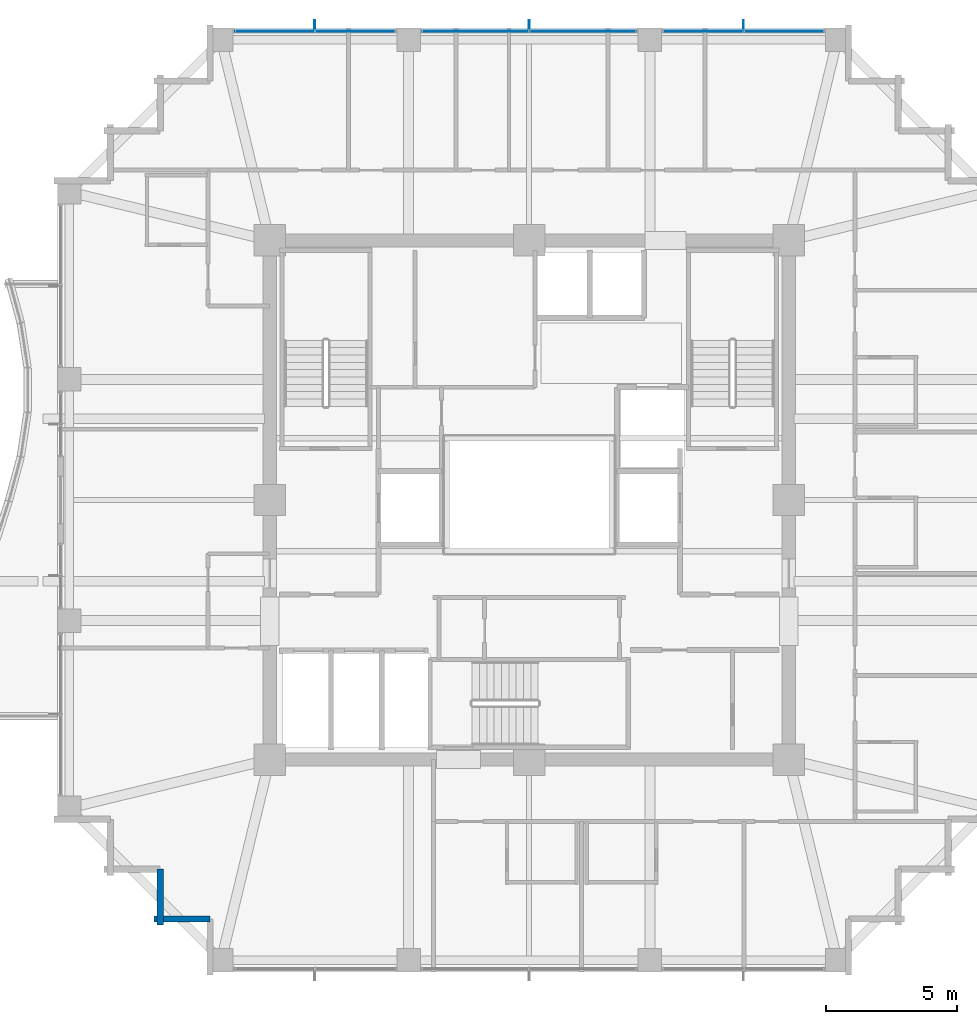
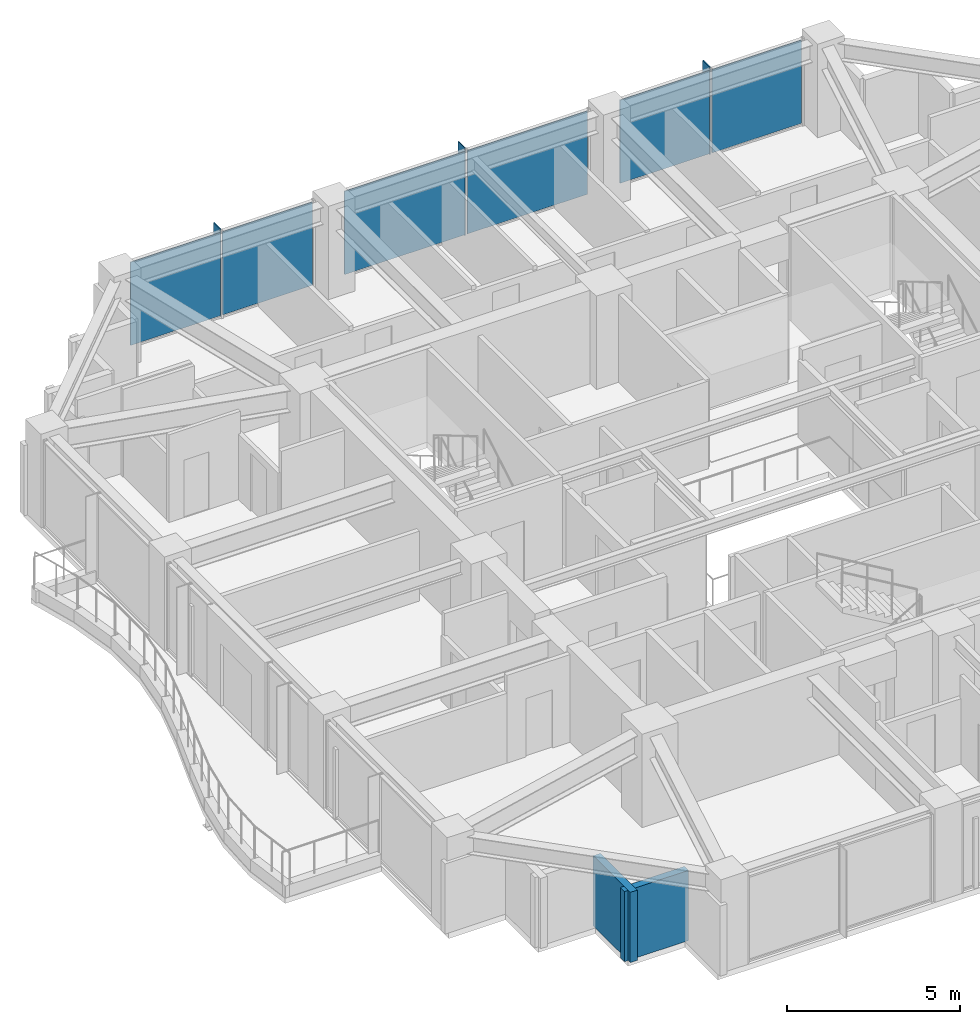
# One storey, part 27 of 33: 9 plates, 2 walls, 3 elements without a shape of their own.
"""IFC4 building model written with IfcOpenShell, lengths in metres."""

import ifcopenshell
import ifcopenshell.guid

model = None  # the IFC model being written
_history = None  # IfcOwnerHistory: only IFC2X3 demands one
_inside = {}  # id of a spatial element -> (the spatial element, [elements in it])
_under = {}  # id of a project, library or spatial element -> (it, [spatial elements below it])
_declared = {}  # id of a project -> (the project, [libraries it declares])
_typed = {}  # id of a type object -> (the type object, [elements of that type])
_made_of = {}  # id of a material, layer set ... -> (it, [elements and type objects made of it])


def new_model(schema):
    """Start an empty IFC model of exactly this schema.

    Asked for "IFC4X3", IfcOpenShell would pick the latest addendum, in which some entities
    have other attributes; the version numbers below select the first issue.
    IFC2X3 requires an IfcOwnerHistory on every rooted entity: one is made here for all.
    """
    global model, _history
    if schema == "IFC4X3":
        model = ifcopenshell.file(schema_version=(4, 3, 0, 0))
    else:
        model = ifcopenshell.file(schema=schema)
    _inside.clear()
    _under.clear()
    _declared.clear()
    _typed.clear()
    _made_of.clear()
    _history = None
    if model.schema == "IFC2X3":
        org = make("IfcOrganization", Name="unknown")
        user = make(
            "IfcPersonAndOrganization",
            ThePerson=make("IfcPerson", FamilyName="unknown"),
            TheOrganization=org,
        )
        app = make(
            "IfcApplication",
            ApplicationDeveloper=org,
            Version="unknown",
            ApplicationFullName="unknown",
            ApplicationIdentifier="unknown",
        )
        _history = make(
            "IfcOwnerHistory",
            OwningUser=user,
            OwningApplication=app,
            ChangeAction="ADDED",
            CreationDate=0,
        )
    return model


def make(cls, **values):
    """One entity of the class cls with the attributes given. An attribute that is None is left unset."""
    return model.create_entity(
        cls, **{name: value for name, value in values.items() if value is not None}
    )


def rooted(cls, **values):
    """An entity with a GlobalId (a new one), such as an element, a storey or a relation."""
    return make(cls, GlobalId=ifcopenshell.guid.new(), OwnerHistory=_history, **values)


def si_unit(unit_type, name, prefix=None):
    """IfcSIUnit, for example si_unit("LENGTHUNIT", "METRE", prefix="MILLI")."""
    return make("IfcSIUnit", UnitType=unit_type, Prefix=prefix, Name=name)


def assignment(units):
    """IfcUnitAssignment: the units of a project."""
    return None if units is None else make("IfcUnitAssignment", Units=units)


def point(xyz):
    """IfcCartesianPoint."""
    return None if xyz is None else make("IfcCartesianPoint", Coordinates=xyz)


def direction(xyz):
    """IfcDirection."""
    return None if xyz is None else make("IfcDirection", DirectionRatios=xyz)


def frame(location, z_axis=None, x_axis=None):
    """IfcAxis2Placement3D, a coordinate frame: its origin and axes. An axis left out is left unset."""
    return make(
        "IfcAxis2Placement3D",
        Location=point(location),
        Axis=direction(z_axis),
        RefDirection=direction(x_axis),
    )


def frame_2d(location, x_axis=None):
    """IfcAxis2Placement2D, a coordinate frame in the plane: its origin and x axis."""
    return make(
        "IfcAxis2Placement2D", Location=point(location), RefDirection=direction(x_axis)
    )


def origin():
    """The frame at (0, 0, 0) with its axes left unset."""
    return frame((0.0, 0.0, 0.0))


def origin_2d():
    """The frame at (0, 0) in the plane with its x axis left unset."""
    return frame_2d((0.0, 0.0))


def place(relative_to, where):
    """IfcLocalPlacement: puts the frame where relative to a parent placement (None: the world)."""
    return make(
        "IfcLocalPlacement", PlacementRelTo=relative_to, RelativePlacement=where
    )


def context(
    kind, dimensions, precision=None, world=None, true_north=None, identifier=None
):
    """IfcGeometricRepresentationContext, for example the 3D "Model" context."""
    return make(
        "IfcGeometricRepresentationContext",
        ContextIdentifier=identifier,
        ContextType=kind,
        CoordinateSpaceDimension=dimensions,
        Precision=precision,
        WorldCoordinateSystem=world,
        TrueNorth=true_north,
    )


def subcontext(parent, identifier, kind, view, scale=None):
    """IfcGeometricRepresentationSubContext, for example "Body" below "Model"."""
    return make(
        "IfcGeometricRepresentationSubContext",
        ContextIdentifier=identifier,
        ContextType=kind,
        ParentContext=parent,
        TargetScale=scale,
        TargetView=view,
    )


def project(units=None, contexts=None):
    """IfcProject with its units and contexts."""
    return rooted(
        "IfcProject",
        Name="project",
        RepresentationContexts=contexts,
        UnitsInContext=assignment(units),
    )


def spatial(cls, under=None, at=None, **own):
    """A site, building, storey or space (cls), placed at a placement, below another one or the project."""
    s = rooted(cls, ObjectPlacement=at, **own)
    if under is not None:
        _under.setdefault(under.id(), (under, []))[1].append(s)
    return s


def profile(cls, at=None, kind="AREA", **sizes):
    """A parametric profile (cls). Its sizes go by their IFC names, for example OverallWidth=200.0."""
    return make(cls, ProfileType=kind, Position=at, **sizes)


def rectangle(**sizes):
    """IfcRectangleProfileDef."""
    return profile("IfcRectangleProfileDef", **sizes)


def extrude(swept, where, along, depth):
    """IfcExtrudedAreaSolid: the profile swept, set in the frame where, extruded along a direction by depth."""
    return make(
        "IfcExtrudedAreaSolid",
        SweptArea=swept,
        Position=where,
        ExtrudedDirection=direction(along),
        Depth=depth,
    )


def shape(context_of_items, identifier, shape_type, items):
    """IfcShapeRepresentation: the items that make up one representation, for example the "Body"."""
    return make(
        "IfcShapeRepresentation",
        ContextOfItems=context_of_items,
        RepresentationIdentifier=identifier,
        RepresentationType=shape_type,
        Items=items,
    )


def material(Name=None, Category=None):
    """IfcMaterial."""
    return make("IfcMaterial", Name=Name, Category=Category)


def layer(
    of_material, thickness, ventilated=None, Name=None, Category=None, Priority=None
):
    """IfcMaterialLayer: one layer of a wall or slab, of a material (None: an air gap)."""
    return make(
        "IfcMaterialLayer",
        Material=of_material,
        LayerThickness=thickness,
        IsVentilated=ventilated,
        Name=Name,
        Category=Category,
        Priority=Priority,
    )


def layer_set(layers, Name=None):
    """IfcMaterialLayerSet."""
    return make("IfcMaterialLayerSet", MaterialLayers=layers, LayerSetName=Name)


def made_of(thing, what):
    """Note that an element or type object is made of a material, layer set ...; save() writes the relation."""
    if what is not None:
        _made_of.setdefault(what.id(), (what, []))[1].append(thing)
    return thing


def type_object(cls, material=None, **own):
    """A type object (cls), such as IfcWallType, which elements share."""
    return made_of(rooted(cls, **own), material)


def element(
    cls,
    number,
    at=None,
    inside=None,
    cuts=None,
    type_object=None,
    material=None,
    context=None,
    identifier="Body",
    shape_type=None,
    held_by="IfcProductDefinitionShape",
    body=None,
    shapes=None,
    **own,
):
    """One element of the class cls, such as IfcWall. Its Tag is "e" and its number.

    at: its placement. inside: the storey or other place that contains it. cuts: it is an
    opening in that element (IfcRelVoidsElement). A single representation is given by context,
    identifier, shape_type and body (its items); several are given by shapes. held_by: the class
    of the entity that holds the representations. save() writes the other relations.
    """
    e = rooted(cls, Tag="e%d" % number, ObjectPlacement=at, **own)
    if body is not None:
        shapes = [shape(context, identifier, shape_type, body)]
    if shapes is not None:
        e.Representation = make(held_by, Representations=shapes)
    if inside is not None:
        _inside.setdefault(inside.id(), (inside, []))[1].append(e)
    if cuts is not None:
        rooted(
            "IfcRelVoidsElement", RelatingBuildingElement=cuts, RelatedOpeningElement=e
        )
    if type_object is not None:
        _typed.setdefault(type_object.id(), (type_object, []))[1].append(e)
    return made_of(e, material)


def aggregate(whole, parts):
    """IfcRelAggregates: a whole, such as a stair, and the parts it consists of."""
    return rooted("IfcRelAggregates", RelatingObject=whole, RelatedObjects=parts)


def save(model, path):
    """Write the relations noted so far, then the file.

    IfcRelAggregates (storeys below a building ...), IfcRelContainedInSpatialStructure (elements
    in a storey), IfcRelDefinesByType, IfcRelAssociatesMaterial and IfcRelDeclares: one each for
    every whole, place, type object, material and project.
    """
    for whole, parts in _under.values():
        aggregate(whole, parts)
    for where, things in _inside.values():
        rooted(
            "IfcRelContainedInSpatialStructure",
            RelatedElements=things,
            RelatingStructure=where,
        )
    for kind, things in _typed.values():
        rooted("IfcRelDefinesByType", RelatedObjects=things, RelatingType=kind)
    for what, things in _made_of.values():
        rooted("IfcRelAssociatesMaterial", RelatedObjects=things, RelatingMaterial=what)
    for by, libraries in _declared.values():
        rooted("IfcRelDeclares", RelatingContext=by, RelatedDefinitions=libraries)
    model.write(path)


model = new_model("IFC4")

# Units and contexts
model_context = context("Model", 3, precision=1e-05, world=origin(), true_north=direction((0.0, 1.0)))
body_context = subcontext(model_context, "Body", "Model", "MODEL_VIEW")
ifc_project = project(units=[si_unit("LENGTHUNIT", "METRE"), si_unit("AREAUNIT", "SQUARE_METRE"), si_unit("VOLUMEUNIT", "CUBIC_METRE"), si_unit("PLANEANGLEUNIT", "RADIAN"), si_unit("MASSUNIT", "GRAM", prefix="KILO")], contexts=[model_context])

# Site, building, storey
site_placement = place(None, origin())
site = spatial("IfcSite", under=ifc_project, at=site_placement, CompositionType="ELEMENT")
building_placement = place(site_placement, origin())
building = spatial("IfcBuilding", under=site, at=building_placement, Name="Kolvaren Belvedere", CompositionType="ELEMENT")
storey_placement = place(building_placement, frame((0.0, 0.0, 128.300048828125)))
storey = spatial("IfcBuildingStorey", under=building, at=storey_placement, Name="L37", CompositionType="ELEMENT", Elevation=128.300048828125)

# Curtain wall, plates
ifc_material_1 = material(Name="Anodised pale-metal aluminium AA 6063-T6", Category="aluminium")
curtain_wall_type = type_object("IfcCurtainWallType", Name="CW-Z3-WAIST", PredefinedType="NOTDEFINED", material=ifc_material_1)
curtain_wall_1_placement = place(storey_placement, origin())
curtain_wall_1 = element("IfcCurtainWall", 1, at=curtain_wall_1_placement, inside=storey, type_object=curtain_wall_type, Name="L37 Unitised Curtain Wall FCW-L37-N-B1", PredefinedType="NOTDEFINED")
ifc_material_2 = material(Name="Low-iron triple insulated glass", Category="glass")
ifc_layer_1 = layer(ifc_material_2, 0.028076171875)
ifc_layer_set_1 = layer_set([ifc_layer_1], Name="Low-iron triple insulated glass")
plate_type_1 = type_object("IfcPlateType", Name="CW-PNL-VIS28", PredefinedType="CURTAIN_PANEL", material=ifc_layer_set_1)
plate_1_placement = place(storey_placement, frame((-9.711181640625, 17.8798828125, 0.080078125), z_axis=(0.0, 0.0, 1.0), x_axis=(1.0, 0.0, 0.0)))
plate_1 = element("IfcPlate", 2, at=plate_1_placement, type_object=plate_type_1, Name="FCW-L37-N-B1 Vision Glazing Panel 1", PredefinedType="CURTAIN_PANEL", context=body_context, shape_type="SweptSolid", body=[
    extrude(rectangle(XDim=2.992431640625, YDim=0.028076171875, at=origin_2d()), origin(), (0.0, 0.0, 1.0), 2.93994140625),
])
plate_2_placement = place(storey_placement, frame((-6.638671875, 17.8798828125, 0.080078125), z_axis=(0.0, 0.0, 1.0), x_axis=(1.0, 0.0, 0.0)))
plate_2 = element("IfcPlate", 3, at=plate_2_placement, type_object=plate_type_1, Name="FCW-L37-N-B1 Vision Glazing Panel 2", PredefinedType="CURTAIN_PANEL", context=body_context, shape_type="SweptSolid", body=[
    extrude(rectangle(XDim=2.992431640625, YDim=0.028076171875, at=origin_2d()), origin(), (0.0, 0.0, 1.0), 2.93994140625),
])
aggregate(curtain_wall_1, [plate_1, plate_2])

curtain_wall_2_placement = place(storey_placement, origin())
curtain_wall_2 = element("IfcCurtainWall", 4, at=curtain_wall_2_placement, inside=storey, type_object=curtain_wall_type, Name="L37 Unitised Curtain Wall FCW-L37-N-B2", PredefinedType="NOTDEFINED")
plate_3_placement = place(storey_placement, frame((-2.048828125, 17.8798828125, 0.080078125), z_axis=(0.0, 0.0, 1.0), x_axis=(1.0, 0.0, 0.0)))
plate_3 = element("IfcPlate", 5, at=plate_3_placement, type_object=plate_type_1, Name="FCW-L37-N-B2 Vision Glazing Panel 1", PredefinedType="CURTAIN_PANEL", context=body_context, shape_type="SweptSolid", body=[
    extrude(rectangle(XDim=4.017578125, YDim=0.028076171875, at=origin_2d()), origin(), (0.0, 0.0, 1.0), 2.93994140625),
])
plate_4_placement = place(storey_placement, frame((2.048828125, 17.8798828125, 0.080078125), z_axis=(0.0, 0.0, 1.0), x_axis=(1.0, 0.0, 0.0)))
plate_4 = element("IfcPlate", 6, at=plate_4_placement, type_object=plate_type_1, Name="FCW-L37-N-B2 Vision Glazing Panel 2", PredefinedType="CURTAIN_PANEL", context=body_context, shape_type="SweptSolid", body=[
    extrude(rectangle(XDim=4.017578125, YDim=0.028076171875, at=origin_2d()), origin(), (0.0, 0.0, 1.0), 2.93994140625),
])
aggregate(curtain_wall_2, [plate_3, plate_4])

curtain_wall_3_placement = place(storey_placement, origin())
curtain_wall_3 = element("IfcCurtainWall", 7, at=curtain_wall_3_placement, inside=storey, type_object=curtain_wall_type, Name="L37 Unitised Curtain Wall FCW-L37-N-B3", PredefinedType="NOTDEFINED")
plate_5_placement = place(storey_placement, frame((6.638671875, 17.8798828125, 0.080078125), z_axis=(0.0, 0.0, 1.0), x_axis=(1.0, 0.0, 0.0)))
plate_5 = element("IfcPlate", 8, at=plate_5_placement, type_object=plate_type_1, Name="FCW-L37-N-B3 Vision Glazing Panel 1", PredefinedType="CURTAIN_PANEL", context=body_context, shape_type="SweptSolid", body=[
    extrude(rectangle(XDim=2.992431640625, YDim=0.028076171875, at=origin_2d()), origin(), (0.0, 0.0, 1.0), 2.93994140625),
])
plate_6_placement = place(storey_placement, frame((9.711181640625, 17.8798828125, 0.080078125), z_axis=(0.0, 0.0, 1.0), x_axis=(1.0, 0.0, 0.0)))
plate_6 = element("IfcPlate", 9, at=plate_6_placement, type_object=plate_type_1, Name="FCW-L37-N-B3 Vision Glazing Panel 2", PredefinedType="CURTAIN_PANEL", context=body_context, shape_type="SweptSolid", body=[
    extrude(rectangle(XDim=2.992431640625, YDim=0.028076171875, at=origin_2d()), origin(), (0.0, 0.0, 1.0), 2.93994140625),
])
aggregate(curtain_wall_3, [plate_5, plate_6])

# Plates
ifc_material_3 = material(Name="Anodised pale-metal aluminium AA 6063-T6", Category="aluminium")
ifc_layer_2 = layer(ifc_material_3, 0.033935546875)
ifc_layer_set_2 = layer_set([ifc_layer_2], Name="Anodised pale-metal aluminium AA 6063-T6")
plate_type_2 = type_object("IfcPlateType", Name="FIN-VERT-380", PredefinedType="USERDEFINED", material=ifc_layer_set_2)
for number, where, z_axis, x_axis, name in (
    (10, (-8.175048828125, 18.1201171875, 0.0), (0.0, 0.0, 1.0), (0.0, 1.0, 0.0), "L37 Pale-Metal Vertical Shading Fin FCW-L37-N-B1-1"),
    (11, (0.0, 18.1201171875, 0.0), (0.0, 0.0, 1.0), (0.0, 1.0, 0.0), "L37 Pale-Metal Vertical Shading Fin FCW-L37-N-B2-1"),
    (12, (8.175048828125, 18.1201171875, 0.0), (0.0, 0.0, 1.0), (0.0, 1.0, 0.0), "L37 Pale-Metal Vertical Shading Fin FCW-L37-N-B3-1"),
):
    element("IfcPlate", number, at=place(storey_placement, frame(where, z_axis=z_axis, x_axis=x_axis)), inside=storey, type_object=plate_type_2, Name=name, ObjectType="VERTICAL FIN", PredefinedType="USERDEFINED", context=body_context, shape_type="SweptSolid", body=[
        extrude(rectangle(XDim=0.3798828125, YDim=0.033935546875, at=origin_2d()), origin(), (0.0, 0.0, 1.0), 3.10009765625),
    ])

# Walls
ifc_material_4 = material(Name="Insulated pale-metal facade wall assembly", Category="aluminium")
ifc_layer_3 = layer(ifc_material_4, 0.239990234375)
ifc_layer_set_3 = layer_set([ifc_layer_3], Name="Insulated pale-metal facade wall assembly")
wall_type = type_object("IfcWallType", Name="WL-EXT-240", PredefinedType="STANDARD", material=ifc_layer_set_3)
wall_1_placement = place(storey_placement, frame((-14.080078125, -16.219970703125, 0.0), z_axis=(0.0, 0.0, 1.0), x_axis=(0.0, 1.0, 0.0)))
element("IfcWall", 13, at=wall_1_placement, inside=storey, type_object=wall_type, Name="L37 Serrated Corner Facade Wall 26", PredefinedType="STANDARD", context=body_context, shape_type="SweptSolid", body=[
    extrude(rectangle(XDim=2.139892578125, YDim=0.239990234375, at=frame_2d((1.06982421875, 0.0))), origin(), (0.0, 0.0, 1.0), 2.47900390625),
])
wall_2_placement = place(storey_placement, frame((-12.179931640625, -15.97998046875, 0.0), z_axis=(0.0, 0.0, 1.0), x_axis=(-1.0, 0.0, 0.0)))
element("IfcWall", 14, at=wall_2_placement, inside=storey, type_object=wall_type, Name="L37 Serrated Corner Facade Wall 27", PredefinedType="STANDARD", context=body_context, shape_type="SweptSolid", body=[
    extrude(rectangle(XDim=2.14013671875, YDim=0.239990234375, at=frame_2d((1.070068359375, 0.0))), origin(), (0.0, 0.0, 1.0), 2.47900390625),
])

save(model, "model.ifc")
